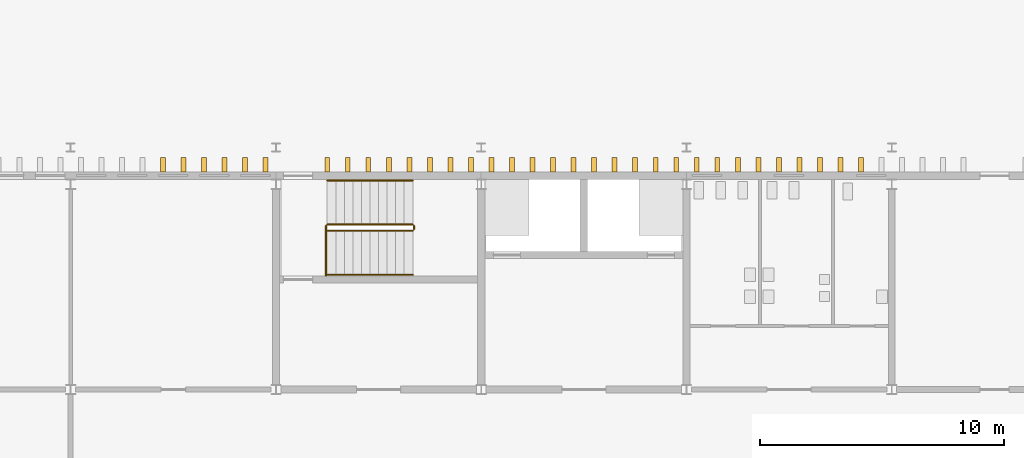
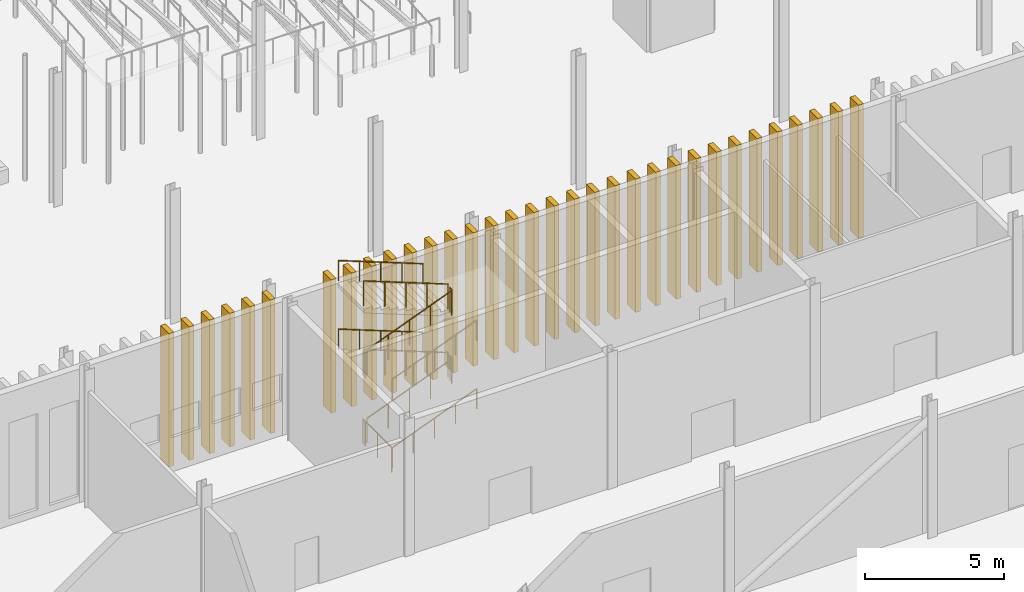
# One storey, part 91 of 108: 33 coverings, 13 railings.
"""IFC4 building model written with IfcOpenShell, lengths in metres."""

from ifc_helpers import new_model, si_unit, direction, frame, origin, origin_2d, place, context, subcontext, project, spatial, rectangle, circle, extrude, material, type_object, element, save


model = new_model("IFC4")

# Units and contexts
model_context = context("Model", 3, precision=1e-05, world=origin(), true_north=direction((0.0, 1.0)))
body_context = subcontext(model_context, "Body", "Model", "MODEL_VIEW")
ifc_project = project(units=[si_unit("LENGTHUNIT", "METRE"), si_unit("AREAUNIT", "SQUARE_METRE"), si_unit("VOLUMEUNIT", "CUBIC_METRE"), si_unit("PLANEANGLEUNIT", "RADIAN"), si_unit("MASSUNIT", "GRAM", prefix="KILO")], contexts=[model_context])

# Site, building, storey
site_placement = place(None, origin())
site = spatial("IfcSite", under=ifc_project, at=site_placement, CompositionType="ELEMENT")
building_placement = place(site_placement, origin())
building = spatial("IfcBuilding", under=site, at=building_placement, Name="Cresset Court Congress Hotel", CompositionType="ELEMENT")
storey_placement = place(building_placement, origin())
storey = spatial("IfcBuildingStorey", under=building, at=storey_placement, Name="L00", CompositionType="ELEMENT", Elevation=0.0)

# Railings
ifc_material_1 = material(Name="Steel and laminated glass", Category="steel")
railing_type_1 = type_object("IfcRailingType", Name="Guard 1100 steel and glass", PredefinedType="GUARDRAIL", material=ifc_material_1)
railing_1_placement = place(storey_placement, frame((102.89990234375, 23.300048828125, 0.136474609375)))
element("IfcRailing", 1, at=railing_1_placement, inside=storey, type_object=railing_type_1, Name="L00 ST-B4 stair guard 1", PredefinedType="GUARDRAIL", context=body_context, shape_type="SweptSolid", body=[
    extrude(circle(Radius=0.02392578125, at=origin_2d()), frame((0.0, 0.0, 1.076171875), z_axis=(0.931787385211, 0.0, 0.3630045024), x_axis=(0.0, 1.0, 0.0)), (0.0, 0.0, 1.0), 3.756103515625),
    extrude(circle(Radius=0.02099609375, at=origin_2d()), origin(), (0.0, 0.0, 1.0), 1.052001953125),
    extrude(circle(Radius=0.02099609375, at=origin_2d()), frame((0.875, 0.0, 0.3408203125)), (0.0, 0.0, 1.0), 1.052001953125),
    extrude(circle(Radius=0.02099609375, at=origin_2d()), frame((1.75, 0.0, 0.681640625)), (0.0, 0.0, 1.0), 1.052001953125),
    extrude(circle(Radius=0.02099609375, at=origin_2d()), frame((2.625, 0.0, 1.022705078125)), (0.0, 0.0, 1.0), 1.052001953125),
    extrude(circle(Radius=0.02099609375, at=origin_2d()), frame((3.5, 0.0, 1.363525390625)), (0.0, 0.0, 1.0), 1.052001953125),
])
railing_2_placement = place(storey_placement, frame((106.449951171875, 23.35009765625, 1.5)))
element("IfcRailing", 2, at=railing_2_placement, inside=storey, type_object=railing_type_1, Name="L00 ST-B4 stair guard 2", PredefinedType="GUARDRAIL", context=body_context, shape_type="SweptSolid", body=[
    extrude(circle(Radius=0.02392578125, at=origin_2d()), frame((0.0, 0.0, 1.076171875), z_axis=(0.0, 1.0, 0.0), x_axis=(-1.0, 0.0, 0.0)), (0.0, 0.0, 1.0), 0.14990234375),
    extrude(circle(Radius=0.02099609375, at=origin_2d()), origin(), (0.0, 0.0, 1.0), 1.052001953125),
    extrude(circle(Radius=0.02099609375, at=origin_2d()), frame((0.0, 0.14990234375, 0.0)), (0.0, 0.0, 1.0), 1.052001953125),
])
railing_3_placement = place(storey_placement, frame((106.39990234375, 23.550048828125, 1.636474609375)))
element("IfcRailing", 3, at=railing_3_placement, inside=storey, type_object=railing_type_1, Name="L00 ST-B4 stair guard 3", PredefinedType="GUARDRAIL", context=body_context, shape_type="SweptSolid", body=[
    extrude(circle(Radius=0.02392578125, at=origin_2d()), frame((0.0, 0.0, 1.076171875), z_axis=(-0.931787385211, 0.0, 0.3630045024), x_axis=(0.0, -1.0, 0.0)), (0.0, 0.0, 1.0), 3.756103515625),
    extrude(circle(Radius=0.02099609375, at=origin_2d()), origin(), (0.0, 0.0, 1.0), 1.052001953125),
    extrude(circle(Radius=0.02099609375, at=origin_2d()), frame((-0.875, 0.0, 0.3408203125)), (0.0, 0.0, 1.0), 1.052001953125),
    extrude(circle(Radius=0.02099609375, at=origin_2d()), frame((-1.75, 0.0, 0.681640625)), (0.0, 0.0, 1.0), 1.052001953125),
    extrude(circle(Radius=0.02099609375, at=origin_2d()), frame((-2.625, 0.0, 1.022705078125)), (0.0, 0.0, 1.0), 1.052001953125),
    extrude(circle(Radius=0.02099609375, at=origin_2d()), frame((-3.5, 0.0, 1.363525390625)), (0.0, 0.0, 1.0), 1.052001953125),
])
railing_4_placement = place(storey_placement, frame((102.85009765625, 23.35009765625, 3.0)))
element("IfcRailing", 4, at=railing_4_placement, inside=storey, type_object=railing_type_1, Name="L00 ST-B4 stair guard 4", PredefinedType="GUARDRAIL", context=body_context, shape_type="SweptSolid", body=[
    extrude(circle(Radius=0.02392578125, at=origin_2d()), frame((0.0, 0.0, 1.076171875), z_axis=(0.0, 1.0, 0.0), x_axis=(-1.0, 0.0, 0.0)), (0.0, 0.0, 1.0), 0.14990234375),
    extrude(circle(Radius=0.02099609375, at=origin_2d()), origin(), (0.0, 0.0, 1.0), 1.052001953125),
    extrude(circle(Radius=0.02099609375, at=origin_2d()), frame((0.0, 0.14990234375, 0.0)), (0.0, 0.0, 1.0), 1.052001953125),
])
railing_5_placement = place(storey_placement, frame((102.89990234375, 23.300048828125, 3.136474609375)))
element("IfcRailing", 5, at=railing_5_placement, inside=storey, type_object=railing_type_1, Name="L00 ST-B4 stair guard 5", PredefinedType="GUARDRAIL", context=body_context, shape_type="SweptSolid", body=[
    extrude(circle(Radius=0.02392578125, at=origin_2d()), frame((0.0, 0.0, 1.076171875), z_axis=(0.931787385211, 0.0, 0.3630045024), x_axis=(0.0, 1.0, 0.0)), (0.0, 0.0, 1.0), 3.756103515625),
    extrude(circle(Radius=0.02099609375, at=origin_2d()), origin(), (0.0, 0.0, 1.0), 1.052001953125),
    extrude(circle(Radius=0.02099609375, at=origin_2d()), frame((0.875, 0.0, 0.3408203125)), (0.0, 0.0, 1.0), 1.052001953125),
    extrude(circle(Radius=0.02099609375, at=origin_2d()), frame((1.75, 0.0, 0.681640625)), (0.0, 0.0, 1.0), 1.052001953125),
    extrude(circle(Radius=0.02099609375, at=origin_2d()), frame((2.625, 0.0, 1.022705078125)), (0.0, 0.0, 1.0), 1.052001953125),
    extrude(circle(Radius=0.02099609375, at=origin_2d()), frame((3.5, 0.0, 1.363525390625)), (0.0, 0.0, 1.0), 1.052001953125),
])
railing_6_placement = place(storey_placement, frame((106.449951171875, 23.35009765625, 4.5)))
element("IfcRailing", 6, at=railing_6_placement, inside=storey, type_object=railing_type_1, Name="L00 ST-B4 stair guard 6", PredefinedType="GUARDRAIL", context=body_context, shape_type="SweptSolid", body=[
    extrude(circle(Radius=0.02392578125, at=origin_2d()), frame((0.0, 0.0, 1.076171875), z_axis=(0.0, 1.0, 0.0), x_axis=(-1.0, 0.0, 0.0)), (0.0, 0.0, 1.0), 0.14990234375),
    extrude(circle(Radius=0.02099609375, at=origin_2d()), origin(), (0.0, 0.0, 1.0), 1.052001953125),
    extrude(circle(Radius=0.02099609375, at=origin_2d()), frame((0.0, 0.14990234375, 0.0)), (0.0, 0.0, 1.0), 1.052001953125),
])
railing_7_placement = place(storey_placement, frame((106.39990234375, 23.550048828125, 4.636474609375)))
element("IfcRailing", 7, at=railing_7_placement, inside=storey, type_object=railing_type_1, Name="L00 ST-B4 stair guard 7", PredefinedType="GUARDRAIL", context=body_context, shape_type="SweptSolid", body=[
    extrude(circle(Radius=0.02392578125, at=origin_2d()), frame((0.0, 0.0, 1.076171875), z_axis=(-0.931787385211, 0.0, 0.3630045024), x_axis=(0.0, -1.0, 0.0)), (0.0, 0.0, 1.0), 3.756103515625),
    extrude(circle(Radius=0.02099609375, at=origin_2d()), origin(), (0.0, 0.0, 1.0), 1.052001953125),
    extrude(circle(Radius=0.02099609375, at=origin_2d()), frame((-0.875, 0.0, 0.3408203125)), (0.0, 0.0, 1.0), 1.052001953125),
    extrude(circle(Radius=0.02099609375, at=origin_2d()), frame((-1.75, 0.0, 0.681640625)), (0.0, 0.0, 1.0), 1.052001953125),
    extrude(circle(Radius=0.02099609375, at=origin_2d()), frame((-2.625, 0.0, 1.022705078125)), (0.0, 0.0, 1.0), 1.052001953125),
    extrude(circle(Radius=0.02099609375, at=origin_2d()), frame((-3.5, 0.0, 1.363525390625)), (0.0, 0.0, 1.0), 1.052001953125),
])
railing_8_placement = place(storey_placement, frame((102.85009765625, 23.35009765625, 0.0)))
element("IfcRailing", 8, at=railing_8_placement, inside=storey, type_object=railing_type_1, Name="L00 ST-B4 stair guard 8", PredefinedType="GUARDRAIL", context=body_context, shape_type="SweptSolid", body=[
    extrude(circle(Radius=0.02392578125, at=origin_2d()), frame((0.0, 0.0, 1.076171875), z_axis=(0.0, 1.0, 0.0), x_axis=(-1.0, 0.0, 0.0)), (0.0, 0.0, 1.0), 0.14990234375),
    extrude(circle(Radius=0.02099609375, at=origin_2d()), origin(), (0.0, 0.0, 1.0), 1.052001953125),
    extrude(circle(Radius=0.02099609375, at=origin_2d()), frame((0.0, 0.14990234375, 0.0)), (0.0, 0.0, 1.0), 1.052001953125),
])
railing_9_placement = place(storey_placement, frame((102.85009765625, 21.449951171875, 0.0)))
element("IfcRailing", 9, at=railing_9_placement, inside=storey, type_object=railing_type_1, Name="L00 ST-B4 stair guard 9", PredefinedType="GUARDRAIL", context=body_context, shape_type="SweptSolid", body=[
    extrude(circle(Radius=0.02392578125, at=origin_2d()), frame((0.0, 0.0, 1.076171875), z_axis=(0.0, 1.0, 0.0), x_axis=(-1.0, 0.0, 0.0)), (0.0, 0.0, 1.0), 2.050048828125),
    extrude(circle(Radius=0.02099609375, at=origin_2d()), origin(), (0.0, 0.0, 1.0), 1.052001953125),
    extrude(circle(Radius=0.02099609375, at=origin_2d()), frame((0.0, 1.02490234375, 0.0)), (0.0, 0.0, 1.0), 1.052001953125),
    extrude(circle(Radius=0.02099609375, at=origin_2d()), frame((0.0, 2.050048828125, 0.0)), (0.0, 0.0, 1.0), 1.052001953125),
])
ifc_material_2 = material(Name="Stainless steel", Category="steel")
railing_type_2 = type_object("IfcRailingType", Name="Handrail 48 stainless", PredefinedType="HANDRAIL", material=ifc_material_2)
railing_10_placement = place(storey_placement, frame((102.89990234375, 21.5, 0.136474609375)))
element("IfcRailing", 10, at=railing_10_placement, inside=storey, type_object=railing_type_2, Name="L00 ST-B4 stair handrail 1", PredefinedType="HANDRAIL", context=body_context, shape_type="SweptSolid", body=[
    extrude(circle(Radius=0.02392578125, at=origin_2d()), frame((0.0, 0.0, 0.8759765625), z_axis=(0.931787385211, 0.0, 0.3630045024), x_axis=(0.0, 1.0, 0.0)), (0.0, 0.0, 1.0), 3.756103515625),
    extrude(circle(Radius=0.02099609375, at=origin_2d()), origin(), (0.0, 0.0, 1.0), 0.851806640625),
    extrude(circle(Radius=0.02099609375, at=origin_2d()), frame((0.875, 0.0, 0.3408203125)), (0.0, 0.0, 1.0), 0.851806640625),
    extrude(circle(Radius=0.02099609375, at=origin_2d()), frame((1.75, 0.0, 0.681640625)), (0.0, 0.0, 1.0), 0.851806640625),
    extrude(circle(Radius=0.02099609375, at=origin_2d()), frame((2.625, 0.0, 1.022705078125)), (0.0, 0.0, 1.0), 0.851806640625),
    extrude(circle(Radius=0.02099609375, at=origin_2d()), frame((3.5, 0.0, 1.363525390625)), (0.0, 0.0, 1.0), 0.851806640625),
])
railing_11_placement = place(storey_placement, frame((106.39990234375, 25.35009765625, 1.636474609375)))
element("IfcRailing", 11, at=railing_11_placement, inside=storey, type_object=railing_type_2, Name="L00 ST-B4 stair handrail 2", PredefinedType="HANDRAIL", context=body_context, shape_type="SweptSolid", body=[
    extrude(circle(Radius=0.02392578125, at=origin_2d()), frame((0.0, 0.0, 0.8759765625), z_axis=(-0.931787385211, 0.0, 0.3630045024), x_axis=(0.0, -1.0, 0.0)), (0.0, 0.0, 1.0), 3.756103515625),
    extrude(circle(Radius=0.02099609375, at=origin_2d()), origin(), (0.0, 0.0, 1.0), 0.851806640625),
    extrude(circle(Radius=0.02099609375, at=origin_2d()), frame((-0.875, 0.0, 0.3408203125)), (0.0, 0.0, 1.0), 0.851806640625),
    extrude(circle(Radius=0.02099609375, at=origin_2d()), frame((-1.75, 0.0, 0.681640625)), (0.0, 0.0, 1.0), 0.851806640625),
    extrude(circle(Radius=0.02099609375, at=origin_2d()), frame((-2.625, 0.0, 1.022705078125)), (0.0, 0.0, 1.0), 0.851806640625),
    extrude(circle(Radius=0.02099609375, at=origin_2d()), frame((-3.5, 0.0, 1.363525390625)), (0.0, 0.0, 1.0), 0.851806640625),
])
railing_12_placement = place(storey_placement, frame((102.89990234375, 21.5, 3.136474609375)))
element("IfcRailing", 12, at=railing_12_placement, inside=storey, type_object=railing_type_2, Name="L00 ST-B4 stair handrail 3", PredefinedType="HANDRAIL", context=body_context, shape_type="SweptSolid", body=[
    extrude(circle(Radius=0.02392578125, at=origin_2d()), frame((0.0, 0.0, 0.8759765625), z_axis=(0.931787385211, 0.0, 0.3630045024), x_axis=(0.0, 1.0, 0.0)), (0.0, 0.0, 1.0), 3.756103515625),
    extrude(circle(Radius=0.02099609375, at=origin_2d()), origin(), (0.0, 0.0, 1.0), 0.851806640625),
    extrude(circle(Radius=0.02099609375, at=origin_2d()), frame((0.875, 0.0, 0.3408203125)), (0.0, 0.0, 1.0), 0.851806640625),
    extrude(circle(Radius=0.02099609375, at=origin_2d()), frame((1.75, 0.0, 0.681640625)), (0.0, 0.0, 1.0), 0.851806640625),
    extrude(circle(Radius=0.02099609375, at=origin_2d()), frame((2.625, 0.0, 1.022705078125)), (0.0, 0.0, 1.0), 0.851806640625),
    extrude(circle(Radius=0.02099609375, at=origin_2d()), frame((3.5, 0.0, 1.363525390625)), (0.0, 0.0, 1.0), 0.851806640625),
])
railing_13_placement = place(storey_placement, frame((106.39990234375, 25.35009765625, 4.636474609375)))
element("IfcRailing", 13, at=railing_13_placement, inside=storey, type_object=railing_type_2, Name="L00 ST-B4 stair handrail 4", PredefinedType="HANDRAIL", context=body_context, shape_type="SweptSolid", body=[
    extrude(circle(Radius=0.02392578125, at=origin_2d()), frame((0.0, 0.0, 0.8759765625), z_axis=(-0.931787385211, 0.0, 0.3630045024), x_axis=(0.0, -1.0, 0.0)), (0.0, 0.0, 1.0), 3.756103515625),
    extrude(circle(Radius=0.02099609375, at=origin_2d()), origin(), (0.0, 0.0, 1.0), 0.851806640625),
    extrude(circle(Radius=0.02099609375, at=origin_2d()), frame((-0.875, 0.0, 0.3408203125)), (0.0, 0.0, 1.0), 0.851806640625),
    extrude(circle(Radius=0.02099609375, at=origin_2d()), frame((-1.75, 0.0, 0.681640625)), (0.0, 0.0, 1.0), 0.851806640625),
    extrude(circle(Radius=0.02099609375, at=origin_2d()), frame((-2.625, 0.0, 1.022705078125)), (0.0, 0.0, 1.0), 0.851806640625),
    extrude(circle(Radius=0.02099609375, at=origin_2d()), frame((-3.5, 0.0, 1.363525390625)), (0.0, 0.0, 1.0), 0.851806640625),
])

# Coverings
ifc_material_3 = material(Name="Precast concrete C50", Category="concrete")
covering_type = type_object("IfcCoveringType", Name="Precast stone fin 200x600 variant 1", PredefinedType="CLADDING", material=ifc_material_3)
for number, where, z_axis, x_axis, name in (
    (14, (96.179931640625, 26.0, 0.0), (0.0, 0.0, 1.0), (1.0, 0.0, 0.0), "Fin N00-104"),
    (15, (97.02001953125, 26.0, 0.0), (0.0, 0.0, 1.0), (1.0, 0.0, 0.0), "Fin N00-105"),
    (16, (97.860107421875, 26.0, 0.0), (0.0, 0.0, 1.0), (1.0, 0.0, 0.0), "Fin N00-106"),
    (17, (98.699951171875, 26.0, 0.0), (0.0, 0.0, 1.0), (1.0, 0.0, 0.0), "Fin N00-107"),
    (18, (99.5400390625, 26.0, 0.0), (0.0, 0.0, 1.0), (1.0, 0.0, 0.0), "Fin N00-108"),
    (19, (100.3798828125, 26.0, 0.0), (0.0, 0.0, 1.0), (1.0, 0.0, 0.0), "Fin N00-109"),
    (20, (102.89990234375, 26.0, 0.0), (0.0, 0.0, 1.0), (1.0, 0.0, 0.0), "Fin N00-112"),
    (21, (103.739990234375, 26.0, 0.0), (0.0, 0.0, 1.0), (1.0, 0.0, 0.0), "Fin N00-113"),
    (22, (104.580078125, 26.0, 0.0), (0.0, 0.0, 1.0), (1.0, 0.0, 0.0), "Fin N00-114"),
    (23, (105.419921875, 26.0, 0.0), (0.0, 0.0, 1.0), (1.0, 0.0, 0.0), "Fin N00-115"),
    (24, (106.260009765625, 26.0, 0.0), (0.0, 0.0, 1.0), (1.0, 0.0, 0.0), "Fin N00-116"),
    (25, (107.10009765625, 26.0, 0.0), (0.0, 0.0, 1.0), (1.0, 0.0, 0.0), "Fin N00-117"),
    (26, (107.93994140625, 26.0, 0.0), (0.0, 0.0, 1.0), (1.0, 0.0, 0.0), "Fin N00-118"),
    (27, (108.780029296875, 26.0, 0.0), (0.0, 0.0, 1.0), (1.0, 0.0, 0.0), "Fin N00-119"),
    (28, (109.6201171875, 26.0, 0.0), (0.0, 0.0, 1.0), (1.0, 0.0, 0.0), "Fin N00-120"),
    (29, (110.4599609375, 26.0, 0.0), (0.0, 0.0, 1.0), (1.0, 0.0, 0.0), "Fin N00-121"),
    (30, (111.300048828125, 26.0, 0.0), (0.0, 0.0, 1.0), (1.0, 0.0, 0.0), "Fin N00-122"),
    (31, (112.139892578125, 26.0, 0.0), (0.0, 0.0, 1.0), (1.0, 0.0, 0.0), "Fin N00-123"),
    (32, (112.97998046875, 26.0, 0.0), (0.0, 0.0, 1.0), (1.0, 0.0, 0.0), "Fin N00-124"),
    (33, (113.820068359375, 26.0, 0.0), (0.0, 0.0, 1.0), (1.0, 0.0, 0.0), "Fin N00-125"),
    (34, (114.659912109375, 26.0, 0.0), (0.0, 0.0, 1.0), (1.0, 0.0, 0.0), "Fin N00-126"),
    (35, (115.5, 26.0, 0.0), (0.0, 0.0, 1.0), (1.0, 0.0, 0.0), "Fin N00-127"),
    (36, (116.340087890625, 26.0, 0.0), (0.0, 0.0, 1.0), (1.0, 0.0, 0.0), "Fin N00-128"),
    (37, (117.179931640625, 26.0, 0.0), (0.0, 0.0, 1.0), (1.0, 0.0, 0.0), "Fin N00-129"),
    (38, (118.02001953125, 26.0, 0.0), (0.0, 0.0, 1.0), (1.0, 0.0, 0.0), "Fin N00-130"),
    (39, (118.860107421875, 26.0, 0.0), (0.0, 0.0, 1.0), (1.0, 0.0, 0.0), "Fin N00-131"),
    (40, (119.699951171875, 26.0, 0.0), (0.0, 0.0, 1.0), (1.0, 0.0, 0.0), "Fin N00-132"),
    (41, (120.5400390625, 26.0, 0.0), (0.0, 0.0, 1.0), (1.0, 0.0, 0.0), "Fin N00-133"),
    (42, (121.3798828125, 26.0, 0.0), (0.0, 0.0, 1.0), (1.0, 0.0, 0.0), "Fin N00-134"),
    (43, (122.219970703125, 26.0, 0.0), (0.0, 0.0, 1.0), (1.0, 0.0, 0.0), "Fin N00-135"),
    (44, (123.06005859375, 26.0, 0.0), (0.0, 0.0, 1.0), (1.0, 0.0, 0.0), "Fin N00-136"),
    (45, (123.89990234375, 26.0, 0.0), (0.0, 0.0, 1.0), (1.0, 0.0, 0.0), "Fin N00-137"),
    (46, (124.739990234375, 26.0, 0.0), (0.0, 0.0, 1.0), (1.0, 0.0, 0.0), "Fin N00-138"),
):
    element("IfcCovering", number, at=place(storey_placement, frame(where, z_axis=z_axis, x_axis=x_axis)), inside=storey, type_object=covering_type, Name=name, PredefinedType="CLADDING", context=body_context, shape_type="SweptSolid", body=[
        extrude(rectangle(XDim=0.199951171875, YDim=0.60009765625, at=origin_2d()), origin(), (0.0, 0.0, 1.0), 5.85009765625),
    ])

save(model, "model.ifc")
